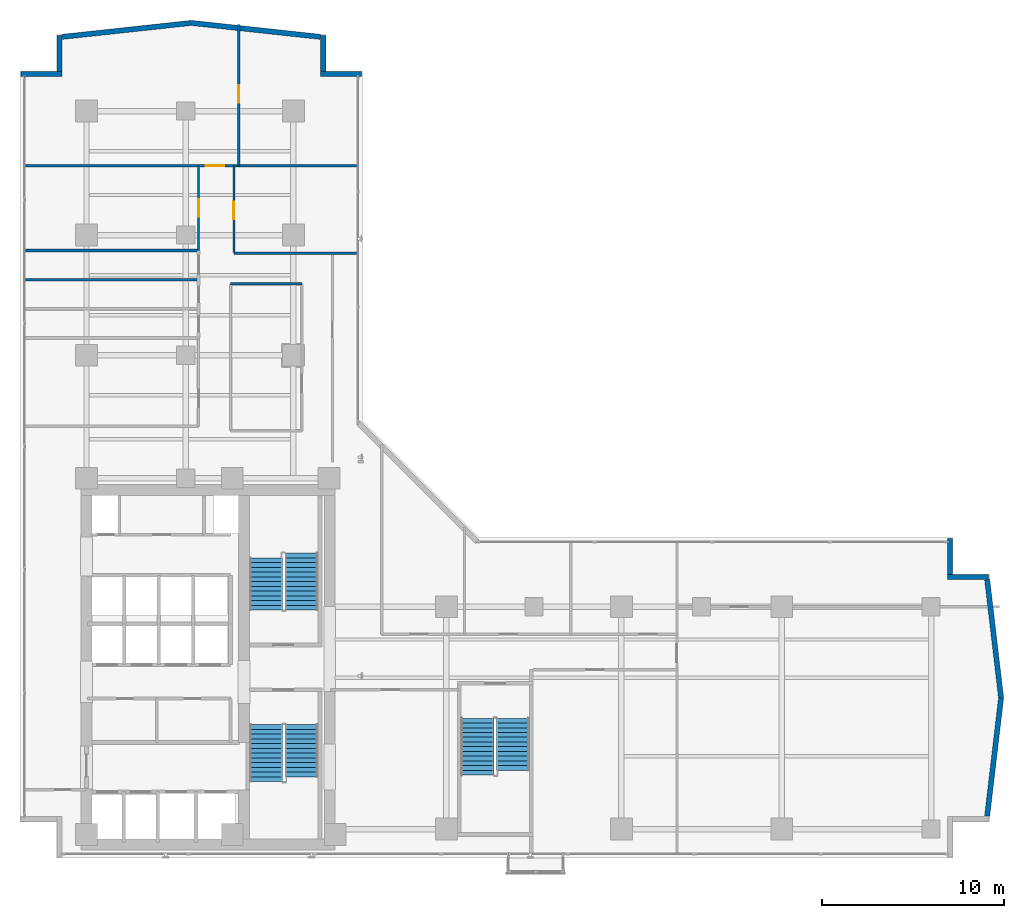
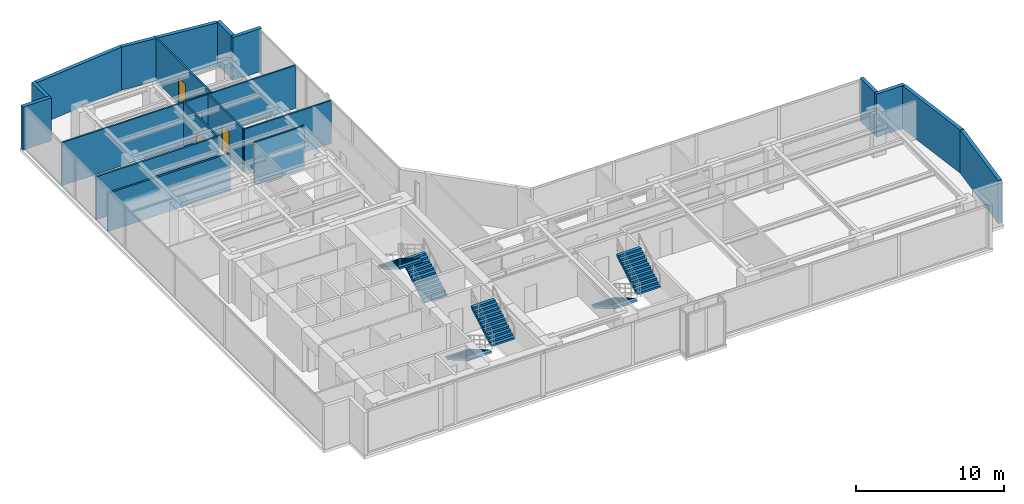
# One storey, part 21 of 24: 18 walls, 6 stair flights, 4 doors, 4 openings, 3 elements without a shape of their own.
"""IFC4 building model written with IfcOpenShell, lengths in metres."""

from ifc_helpers import new_model, si_unit, direction, frame, frame_2d, origin, place, context, subcontext, project, spatial, polyline, rectangle, outline, extrude, material, layer, layer_set, type_object, element, fill, aggregate, save


model = new_model("IFC4")

# Units and contexts
model_context = context("Model", 3, precision=1e-05, world=origin(), true_north=direction((0.0, 1.0)))
body_context = subcontext(model_context, "Body", "Model", "MODEL_VIEW")
ifc_project = project(units=[si_unit("LENGTHUNIT", "METRE"), si_unit("AREAUNIT", "SQUARE_METRE"), si_unit("VOLUMEUNIT", "CUBIC_METRE"), si_unit("PLANEANGLEUNIT", "RADIAN"), si_unit("MASSUNIT", "GRAM", prefix="KILO")], contexts=[model_context])

# Site, building, storey
site_placement = place(None, origin())
site = spatial("IfcSite", under=ifc_project, at=site_placement, CompositionType="ELEMENT")
building_placement = place(site_placement, origin())
building = spatial("IfcBuilding", under=site, at=building_placement, Name="Kolvaren Waterfront Exchange", CompositionType="ELEMENT")
storey_placement = place(building_placement, frame((0.0, 0.0, 157.60009765625)))
storey = spatial("IfcBuildingStorey", under=building, at=storey_placement, Name="L40", CompositionType="ELEMENT", Elevation=157.60009765625)

# Walls
ifc_material_1 = material(Name="Precast concrete C40/50", Category="concrete")
ifc_layer_1 = layer(ifc_material_1, 0.280029296875, Name="Precast concrete C40/50")
ifc_layer_set_1 = layer_set([ifc_layer_1], Name="Precast concrete C40/50")
wall_type_1 = type_object("IfcWallType", Name="ARC-EXT-TERR-280", PredefinedType="SOLIDWALL", material=ifc_layer_set_1)
wall_1_placement = place(storey_placement, frame((54.840087890625, 19.1650390625, 0.0), z_axis=(0.0, 0.0, 1.0), x_axis=(0.0, 1.0, 0.0)))
element("IfcWall", 1, at=wall_1_placement, inside=storey, type_object=wall_type_1, Name="L40 notched corner spandrel pier ENE-A", PredefinedType="SOLIDWALL", context=body_context, shape_type="SweptSolid", body=[
    extrude(rectangle(XDim=1.974853515625, YDim=0.280029296875, at=frame_2d((0.9873046875, 0.0))), origin(), (0.0, 0.0, 1.0), 3.559814453125),
])
for number, where, z_axis, x_axis, name in (
    (2, (54.699951171875, 19.0400390625, 0.0), (0.0, 0.0, 1.0), (1.0, 0.0, 0.0), "L40 notched corner spandrel pier ENE-B"),
    (3, (20.300048828125, 46.639892578125, 0.0), (0.0, 0.0, 1.0), (1.0, 0.0, 0.0), "L40 notched corner spandrel pier NNE-A"),
):
    element("IfcWall", number, at=place(storey_placement, frame(where, z_axis=z_axis, x_axis=x_axis)), inside=storey, type_object=wall_type_1, Name=name, PredefinedType="SOLIDWALL", context=body_context, shape_type="SweptSolid", body=[
        extrude(rectangle(XDim=2.239990234375, YDim=0.280029296875, at=frame_2d((1.1201171875, 0.0))), origin(), (0.0, 0.0, 1.0), 3.559814453125),
    ])
wall_2_placement = place(storey_placement, frame((20.43994140625, 46.780029296875, 0.0), z_axis=(0.0, 0.0, 1.0), x_axis=(0.0, 1.0, 0.0)))
element("IfcWall", 4, at=wall_2_placement, inside=storey, type_object=wall_type_1, Name="L40 notched corner spandrel pier NNE-B", PredefinedType="SOLIDWALL", context=body_context, shape_type="SweptSolid", body=[
    extrude(rectangle(XDim=1.9599609375, YDim=0.280029296875, at=frame_2d((0.97998046875, 0.0))), origin(), (0.0, 0.0, 1.0), 3.559814453125),
])
wall_3_placement = place(storey_placement, frame((3.860107421875, 46.639892578125, 0.0), z_axis=(0.0, 0.0, 1.0), x_axis=(1.0, 0.0, 0.0)))
element("IfcWall", 5, at=wall_3_placement, inside=storey, type_object=wall_type_1, Name="L40 notched corner spandrel pier NW-A", PredefinedType="SOLIDWALL", context=body_context, shape_type="SweptSolid", body=[
    extrude(rectangle(XDim=2.239990234375, YDim=0.280029296875, at=frame_2d((1.1201171875, 0.0))), origin(), (0.0, 0.0, 1.0), 3.559814453125),
])
wall_4_placement = place(storey_placement, frame((5.9599609375, 46.780029296875, 0.0), z_axis=(0.0, 0.0, 1.0), x_axis=(0.0, 1.0, 0.0)))
element("IfcWall", 6, at=wall_4_placement, inside=storey, type_object=wall_type_1, Name="L40 notched corner spandrel pier NW-B", PredefinedType="SOLIDWALL", context=body_context, shape_type="SweptSolid", body=[
    extrude(rectangle(XDim=1.9599609375, YDim=0.280029296875, at=frame_2d((0.97998046875, 0.0))), origin(), (0.0, 0.0, 1.0), 3.559814453125),
])
for number, where, z_axis, x_axis, name in (
    (7, (56.876220703125, 5.91650390625, 0.0), (0.0, 0.0, 1.0), (0.11685426921, 0.993149072278, 0.0), "L40 east prow faceted facade wall 1"),
    (8, (57.638916015625, 12.401123046875, 0.0), (0.0, 0.0, 1.0), (-0.11685426921, 0.993149072278, 0.0), "L40 east prow faceted facade wall 2"),
):
    element("IfcWall", number, at=place(storey_placement, frame(where, z_axis=z_axis, x_axis=x_axis)), inside=storey, type_object=wall_type_1, Name=name, PredefinedType="SOLIDWALL", context=body_context, shape_type="SweptSolid", body=[
        extrude(rectangle(XDim=6.52685546875, YDim=0.280029296875, at=frame_2d((3.263427734375, 0.0))), origin(), (0.0, 0.0, 1.0), 3.559814453125),
    ])
for number, where, z_axis, x_axis, name in (
    (9, (20.284423828125, 48.673095703125, 0.0), (0.0, 0.0, 1.0), (-0.994206651606, 0.107485505548, 0.0), "L40 north prow faceted facade wall 1"),
    (10, (13.197265625, 49.438720703125, 0.0), (0.0, 0.0, 1.0), (-0.994206651606, -0.107485505548, 0.0), "L40 north prow faceted facade wall 2"),
):
    element("IfcWall", number, at=place(storey_placement, frame(where, z_axis=z_axis, x_axis=x_axis)), inside=storey, type_object=wall_type_1, Name=name, PredefinedType="SOLIDWALL", context=body_context, shape_type="SweptSolid", body=[
        extrude(rectangle(XDim=7.123046875, YDim=0.280029296875, at=frame_2d((3.5615234375, 0.0))), origin(), (0.0, 0.0, 1.0), 3.559814453125),
    ])
ifc_material_2 = material(Name="Acoustic gypsum steel stud", Category="steel")
ifc_layer_2 = layer(ifc_material_2, 0.125, Name="Acoustic gypsum steel stud")
ifc_layer_set_2 = layer_set([ifc_layer_2], Name="Acoustic gypsum steel stud")
wall_type_2 = type_object("IfcWallType", Name="ARC-PART-125", PredefinedType="PARTITIONING", material=ifc_layer_set_2)
wall_5_placement = place(storey_placement, frame((15.35009765625, 35.1201171875, 0.0), z_axis=(0.0, 0.0, 1.0), x_axis=(1.0, 0.0, 0.0)))
element("IfcWall", 11, at=wall_5_placement, inside=storey, type_object=wall_type_2, Name="L40 interior wall PW-L40-ISL-N", PredefinedType="PARTITIONING", context=body_context, shape_type="SweptSolid", body=[
    extrude(rectangle(XDim=3.919921875, YDim=0.125, at=frame_2d((1.9599609375, 0.0))), origin(), (0.0, 0.0, 1.0), 3.559814453125),
])
wall_6_placement = place(storey_placement, frame((15.5400390625, 36.800048828125, 0.0), z_axis=(0.0, 0.0, 1.0), x_axis=(1.0, 0.0, 0.0)))
element("IfcWall", 12, at=wall_6_placement, inside=storey, type_object=wall_type_2, Name="L40 interior wall PW-L40-RFLANK-N", PredefinedType="PARTITIONING", context=body_context, shape_type="SweptSolid", body=[
    extrude(rectangle(XDim=6.820068359375, YDim=0.125, at=frame_2d((3.41015625, 0.0))), origin(), (0.0, 0.0, 1.0), 3.559814453125),
])

# Wall, opening, door
wall_7_placement = place(storey_placement, frame((13.60009765625, 36.949951171875, 0.0), z_axis=(0.0, 0.0, 1.0), x_axis=(0.0, 1.0, 0.0)))
wall_7 = element("IfcWall", 13, at=wall_7_placement, inside=storey, type_object=wall_type_2, Name="L40 interior wall PW-L40-NW-CORR", PredefinedType="PARTITIONING", context=body_context, shape_type="SweptSolid", body=[
    extrude(rectangle(XDim=4.650146484375, YDim=0.125, at=frame_2d((2.3251953125, 0.0))), origin(), (0.0, 0.0, 1.0), 3.559814453125),
])
opening_1_placement = place(wall_7_placement, frame((1.85009765625, 0.0, 0.0)))
opening_1 = element("IfcOpeningElement", 14, at=opening_1_placement, cuts=wall_7, Name="Opening D02", PredefinedType="OPENING", context=body_context, shape_type="SweptSolid", body=[
    extrude(rectangle(XDim=0.949951171875, YDim=2.14990234375, at=frame_2d((0.47509765625, 1.074951171875))), frame((0.0, 0.072509765625, 0.0), z_axis=(0.0, -1.0, 0.0), x_axis=(1.0, 0.0, 0.0)), (0.0, 0.0, 1.0), 0.14501953125),
])
ifc_material_3 = material(Name="Oak veneer acoustic timber", Category="wood")
door_type_1 = type_object("IfcDoorType", Name="ARC-DR-950", OperationType="NOTDEFINED", PredefinedType="DOOR", material=ifc_material_3)
door_1_placement = place(opening_1_placement, origin())
door_1 = element("IfcDoor", 15, at=door_1_placement, inside=storey, type_object=door_type_1, Name="L40 door DR-L40-NW-D-1 (D02)", OperationType="SINGLE_SWING_LEFT", OverallHeight=2.14990234375, OverallWidth=0.949951171875, PredefinedType="DOOR", context=body_context, shape_type="SweptSolid", body=[
    extrude(rectangle(XDim=0.949951171875, YDim=2.14990234375, at=frame_2d((0.47509765625, 1.074951171875))), frame((0.0, 0.02490234375, 0.0), z_axis=(0.0, -1.0, 0.0), x_axis=(1.0, 0.0, 0.0)), (0.0, 0.0, 1.0), 0.050048828125),
])
fill(opening_1, door_1)

wall_8_placement = place(storey_placement, frame((4.0400390625, 41.60009765625, 0.0), z_axis=(0.0, 0.0, 1.0), x_axis=(1.0, 0.0, 0.0)))
wall_8 = element("IfcWall", 16, at=wall_8_placement, inside=storey, type_object=wall_type_2, Name="L40 interior wall PW-L40-NTIP-S", PredefinedType="PARTITIONING", context=body_context, shape_type="SweptSolid", body=[
    extrude(rectangle(XDim=18.320068359375, YDim=0.125, at=frame_2d((9.16015625, 0.0))), origin(), (0.0, 0.0, 1.0), 3.559814453125),
])
opening_2_placement = place(wall_8_placement, frame((9.9599609375, 0.0, 0.0)))
opening_2 = element("IfcOpeningElement", 17, at=opening_2_placement, cuts=wall_8, Name="Opening D03", PredefinedType="OPENING", context=body_context, shape_type="SweptSolid", body=[
    extrude(rectangle(XDim=1.0, YDim=2.199951171875, at=frame_2d((0.5, 1.10009765625))), frame((0.0, 0.072509765625, 0.0), z_axis=(0.0, -1.0, 0.0), x_axis=(1.0, 0.0, 0.0)), (0.0, 0.0, 1.0), 0.14501953125),
])
ifc_material_4 = material(Name="Oak veneer accessible timber", Category="wood")
door_type_2 = type_object("IfcDoorType", Name="ARC-DR-1000", OperationType="NOTDEFINED", PredefinedType="DOOR", material=ifc_material_4)
door_2_placement = place(opening_2_placement, origin())
door_2 = element("IfcDoor", 18, at=door_2_placement, inside=storey, type_object=door_type_2, Name="L40 door DR-L40-NTIPW-D (D03)", OperationType="SINGLE_SWING_RIGHT", OverallHeight=2.199951171875, OverallWidth=1.0, PredefinedType="DOOR", context=body_context, shape_type="SweptSolid", body=[
    extrude(rectangle(XDim=1.0, YDim=2.199951171875, at=frame_2d((0.5, 1.10009765625))), frame((0.0, 0.02490234375, 0.0), z_axis=(0.0, -1.0, 0.0), x_axis=(1.0, 0.0, 0.0)), (0.0, 0.0, 1.0), 0.050048828125),
])
fill(opening_2, door_2)

wall_9_placement = place(storey_placement, frame((15.800048828125, 41.60009765625, 0.0), z_axis=(0.0, 0.0, 1.0), x_axis=(0.0, 1.0, 0.0)))
wall_9 = element("IfcWall", 19, at=wall_9_placement, inside=storey, type_object=wall_type_2, Name="L40 interior wall PW-L40-NTIP-DIV", PredefinedType="PARTITIONING", context=body_context, shape_type="SweptSolid", body=[
    extrude(rectangle(XDim=7.760009765625, YDim=0.125, at=frame_2d((3.8798828125, 0.0))), origin(), (0.0, 0.0, 1.0), 3.559814453125),
])
opening_3_placement = place(wall_9_placement, frame((3.470458984375, 0.0, 0.0)))
opening_3 = element("IfcOpeningElement", 20, at=opening_3_placement, cuts=wall_9, Name="Opening D02", PredefinedType="OPENING", context=body_context, shape_type="SweptSolid", body=[
    extrude(rectangle(XDim=0.949951171875, YDim=2.14990234375, at=frame_2d((0.47509765625, 1.074951171875))), frame((0.0, 0.072509765625, 0.0), z_axis=(0.0, -1.0, 0.0), x_axis=(1.0, 0.0, 0.0)), (0.0, 0.0, 1.0), 0.14501953125),
])
door_3_placement = place(opening_3_placement, origin())
door_3 = element("IfcDoor", 21, at=door_3_placement, inside=storey, type_object=door_type_1, Name="L40 door DR-L40-NTIPE-D (D02)", OperationType="SINGLE_SWING_LEFT", OverallHeight=2.14990234375, OverallWidth=0.949951171875, PredefinedType="DOOR", context=body_context, shape_type="SweptSolid", body=[
    extrude(rectangle(XDim=0.949951171875, YDim=2.14990234375, at=frame_2d((0.47509765625, 1.074951171875))), frame((0.0, 0.02490234375, 0.0), z_axis=(0.0, -1.0, 0.0), x_axis=(1.0, 0.0, 0.0)), (0.0, 0.0, 1.0), 0.050048828125),
])
fill(opening_3, door_3)

wall_10_placement = place(storey_placement, frame((15.5400390625, 36.85009765625, 0.0), z_axis=(0.0, 0.0, 1.0), x_axis=(0.0, 1.0, 0.0)))
wall_10 = element("IfcWall", 22, at=wall_10_placement, inside=storey, type_object=wall_type_2, Name="L40 interior wall PW-L40-NE-CORR", PredefinedType="PARTITIONING", context=body_context, shape_type="SweptSolid", body=[
    extrude(rectangle(XDim=4.75, YDim=0.125, at=frame_2d((2.375, 0.0))), origin(), (0.0, 0.0, 1.0), 3.559814453125),
])
opening_4_placement = place(wall_10_placement, frame((1.82861328125, 0.0, 0.0)))
opening_4 = element("IfcOpeningElement", 23, at=opening_4_placement, cuts=wall_10, Name="Opening D02", PredefinedType="OPENING", context=body_context, shape_type="SweptSolid", body=[
    extrude(rectangle(XDim=0.949951171875, YDim=2.14990234375, at=frame_2d((0.47509765625, 1.074951171875))), frame((0.0, 0.072509765625, 0.0), z_axis=(0.0, -1.0, 0.0), x_axis=(1.0, 0.0, 0.0)), (0.0, 0.0, 1.0), 0.14501953125),
])
door_4_placement = place(opening_4_placement, origin())
door_4 = element("IfcDoor", 24, at=door_4_placement, inside=storey, type_object=door_type_1, Name="L40 door DR-L40-NE-D-1 (D02)", OperationType="SINGLE_SWING_RIGHT", OverallHeight=2.14990234375, OverallWidth=0.949951171875, PredefinedType="DOOR", context=body_context, shape_type="SweptSolid", body=[
    extrude(rectangle(XDim=0.949951171875, YDim=2.14990234375, at=frame_2d((0.47509765625, 1.074951171875))), frame((0.0, 0.02490234375, 0.0), z_axis=(0.0, -1.0, 0.0), x_axis=(1.0, 0.0, 0.0)), (0.0, 0.0, 1.0), 0.050048828125),
])
fill(opening_4, door_4)

# Walls
ifc_material_5 = material(Name="Moisture-resistant gypsum stud")
ifc_layer_3 = layer(ifc_material_5, 0.14990234375, Name="Moisture-resistant gypsum stud")
ifc_layer_set_3 = layer_set([ifc_layer_3], Name="Moisture-resistant gypsum stud")
wall_type_3 = type_object("IfcWallType", Name="ARC-PLUMB-150", PredefinedType="PLUMBINGWALL", material=ifc_layer_set_3)
wall_11_placement = place(storey_placement, frame((4.0400390625, 35.35009765625, 0.0), z_axis=(0.0, 0.0, 1.0), x_axis=(1.0, 0.0, 0.0)))
element("IfcWall", 25, at=wall_11_placement, inside=storey, type_object=wall_type_3, Name="L40 interior wall PW-L40-WC-2", PredefinedType="PLUMBINGWALL", context=body_context, shape_type="SweptSolid", body=[
    extrude(rectangle(XDim=9.56005859375, YDim=0.14990234375, at=frame_2d((4.780029296875, 0.0))), origin(), (0.0, 0.0, 1.0), 3.159912109375),
])
wall_12_placement = place(storey_placement, frame((4.0400390625, 36.949951171875, 0.0), z_axis=(0.0, 0.0, 1.0), x_axis=(1.0, 0.0, 0.0)))
element("IfcWall", 26, at=wall_12_placement, inside=storey, type_object=wall_type_3, Name="L40 interior wall PW-L40-WC-3", PredefinedType="PLUMBINGWALL", context=body_context, shape_type="SweptSolid", body=[
    extrude(rectangle(XDim=9.56005859375, YDim=0.14990234375, at=frame_2d((4.780029296875, 0.0))), origin(), (0.0, 0.0, 1.0), 3.559814453125),
])

# Stair, stair flights
ifc_material_6 = material(Name="Concrete C40/50", Category="concrete")
stair_type = type_object("IfcStairType", Name="ARC-STAIR-3800", PredefinedType="HALF_TURN_STAIR", material=ifc_material_6)
stair_1_placement = place(storey_placement, origin())
stair_1 = element("IfcStair", 27, at=stair_1_placement, inside=storey, type_object=stair_type, Name="L40 Smoke-proof exit stair ST1", PredefinedType="HALF_TURN_STAIR")
stair_flight_type = type_object("IfcStairFlightType", Name="ARC-FLIGHT-3800", PredefinedType="STRAIGHT", material=ifc_material_6)
stair_flight_1_placement = place(storey_placement, frame((17.300048828125, 10.929931640625, 0.0), z_axis=(0.0, 0.0, 1.0), x_axis=(0.0, -1.0, 0.0)))
stair_flight_1 = element("IfcStairFlight", 28, at=stair_flight_1_placement, type_object=stair_flight_type, Name="ST1 flight 1", NumberOfRisers=13, NumberOfTreads=12, PredefinedType="STRAIGHT", RiserHeight=0.152, TreadLength=0.26, context=body_context, shape_type="SweptSolid", body=[
    extrude(outline(polyline([(0.0, 0.0), (0.0, 0.152099609375), (0.260009765625, 0.152099609375), (0.260009765625, 0.303955078125), (0.52001953125, 0.303955078125), (0.52001953125, 0.4560546875), (0.780029296875, 0.4560546875), (0.780029296875, 0.60791015625), (1.0400390625, 0.60791015625), (1.0400390625, 0.760009765625), (1.300048828125, 0.760009765625), (1.300048828125, 0.912109375), (1.56005859375, 0.912109375), (1.56005859375, 1.06396484375), (1.820068359375, 1.06396484375), (1.820068359375, 1.216064453125), (2.080078125, 1.216064453125), (2.080078125, 1.367919921875), (2.340087890625, 1.367919921875), (2.340087890625, 1.52001953125), (2.60009765625, 1.52001953125), (2.60009765625, 1.672119140625), (2.860107421875, 1.672119140625), (2.860107421875, 1.823974609375), (3.1201171875, 1.823974609375), (3.1201171875, 1.97607421875), (3.1201171875, 1.650390625), (0.297119140625, 0.0), (0.0, 0.0)])), frame((0.0, 0.89990234375, 0.0), z_axis=(0.0, -1.0, 0.0), x_axis=(1.0, 0.0, 0.0)), (0.0, 0.0, 1.0), 1.800048828125),
])
stair_flight_2_placement = place(storey_placement, frame((19.260009765625, 8.070068359375, 1.975830078125), z_axis=(0.0, 0.0, 1.0), x_axis=(0.0, 1.0, 0.0)))
stair_flight_2 = element("IfcStairFlight", 29, at=stair_flight_2_placement, type_object=stair_flight_type, Name="ST1 flight 2", NumberOfRisers=12, NumberOfTreads=11, PredefinedType="STRAIGHT", RiserHeight=0.152, TreadLength=0.26, context=body_context, shape_type="SweptSolid", body=[
    extrude(outline(polyline([(0.0, 0.0), (0.0, 0.152099609375), (0.260009765625, 0.152099609375), (0.260009765625, 0.303955078125), (0.52001953125, 0.303955078125), (0.52001953125, 0.4560546875), (0.780029296875, 0.4560546875), (0.780029296875, 0.60791015625), (1.0400390625, 0.60791015625), (1.0400390625, 0.760009765625), (1.300048828125, 0.760009765625), (1.300048828125, 0.912109375), (1.56005859375, 0.912109375), (1.56005859375, 1.06396484375), (1.820068359375, 1.06396484375), (1.820068359375, 1.216064453125), (2.080078125, 1.216064453125), (2.080078125, 1.367919921875), (2.340087890625, 1.367919921875), (2.340087890625, 1.52001953125), (2.60009765625, 1.52001953125), (2.60009765625, 1.672119140625), (2.860107421875, 1.672119140625), (2.860107421875, 1.823974609375), (2.860107421875, 1.498291015625), (0.297119140625, 0.0), (0.0, 0.0)])), frame((0.0, 0.89990234375, 0.0), z_axis=(0.0, -1.0, 0.0), x_axis=(1.0, 0.0, 0.0)), (0.0, 0.0, 1.0), 1.800048828125),
])
aggregate(stair_1, [stair_flight_1, stair_flight_2])

stair_2_placement = place(storey_placement, origin())
stair_2 = element("IfcStair", 30, at=stair_2_placement, inside=storey, type_object=stair_type, Name="L40 Smoke-proof exit stair ST2", PredefinedType="HALF_TURN_STAIR")
stair_flight_3_placement = place(storey_placement, frame((19.260009765625, 17.219970703125, 0.0), z_axis=(0.0, 0.0, 1.0), x_axis=(0.0, 1.0, 0.0)))
stair_flight_3 = element("IfcStairFlight", 31, at=stair_flight_3_placement, type_object=stair_flight_type, Name="ST2 flight 1", NumberOfRisers=13, NumberOfTreads=12, PredefinedType="STRAIGHT", RiserHeight=0.152, TreadLength=0.26, context=body_context, shape_type="SweptSolid", body=[
    extrude(outline(polyline([(0.0, 0.0), (0.0, 0.152099609375), (0.260009765625, 0.152099609375), (0.260009765625, 0.303955078125), (0.52001953125, 0.303955078125), (0.52001953125, 0.4560546875), (0.780029296875, 0.4560546875), (0.780029296875, 0.60791015625), (1.0400390625, 0.60791015625), (1.0400390625, 0.760009765625), (1.300048828125, 0.760009765625), (1.300048828125, 0.912109375), (1.56005859375, 0.912109375), (1.56005859375, 1.06396484375), (1.820068359375, 1.06396484375), (1.820068359375, 1.216064453125), (2.080078125, 1.216064453125), (2.080078125, 1.367919921875), (2.340087890625, 1.367919921875), (2.340087890625, 1.52001953125), (2.60009765625, 1.52001953125), (2.60009765625, 1.672119140625), (2.860107421875, 1.672119140625), (2.860107421875, 1.823974609375), (3.1201171875, 1.823974609375), (3.1201171875, 1.97607421875), (3.1201171875, 1.650390625), (0.297119140625, 0.0), (0.0, 0.0)])), frame((0.0, 0.89990234375, 0.0), z_axis=(0.0, -1.0, 0.0), x_axis=(1.0, 0.0, 0.0)), (0.0, 0.0, 1.0), 1.800048828125),
])
stair_flight_4_placement = place(storey_placement, frame((17.300048828125, 20.080078125, 1.975830078125), z_axis=(0.0, 0.0, 1.0), x_axis=(0.0, -1.0, 0.0)))
stair_flight_4 = element("IfcStairFlight", 32, at=stair_flight_4_placement, type_object=stair_flight_type, Name="ST2 flight 2", NumberOfRisers=12, NumberOfTreads=11, PredefinedType="STRAIGHT", RiserHeight=0.152, TreadLength=0.26, context=body_context, shape_type="SweptSolid", body=[
    extrude(outline(polyline([(0.0, 0.0), (0.0, 0.152099609375), (0.260009765625, 0.152099609375), (0.260009765625, 0.303955078125), (0.52001953125, 0.303955078125), (0.52001953125, 0.4560546875), (0.780029296875, 0.4560546875), (0.780029296875, 0.60791015625), (1.0400390625, 0.60791015625), (1.0400390625, 0.760009765625), (1.300048828125, 0.760009765625), (1.300048828125, 0.912109375), (1.56005859375, 0.912109375), (1.56005859375, 1.06396484375), (1.820068359375, 1.06396484375), (1.820068359375, 1.216064453125), (2.080078125, 1.216064453125), (2.080078125, 1.367919921875), (2.340087890625, 1.367919921875), (2.340087890625, 1.52001953125), (2.60009765625, 1.52001953125), (2.60009765625, 1.672119140625), (2.860107421875, 1.672119140625), (2.860107421875, 1.823974609375), (2.860107421875, 1.498291015625), (0.297119140625, 0.0), (0.0, 0.0)])), frame((0.0, 0.89990234375, 0.0), z_axis=(0.0, -1.0, 0.0), x_axis=(1.0, 0.0, 0.0)), (0.0, 0.0, 1.0), 1.800048828125),
])
aggregate(stair_2, [stair_flight_3, stair_flight_4])

stair_3_placement = place(storey_placement, origin())
stair_3 = element("IfcStair", 33, at=stair_3_placement, inside=storey, type_object=stair_type, Name="L40 Exit stair ST3", PredefinedType="HALF_TURN_STAIR")
stair_flight_5_placement = place(storey_placement, frame((28.89990234375, 11.280029296875, 0.0), z_axis=(0.0, 0.0, 1.0), x_axis=(0.0, -1.0, 0.0)))
stair_flight_5 = element("IfcStairFlight", 34, at=stair_flight_5_placement, type_object=stair_flight_type, Name="ST3 flight 1", NumberOfRisers=13, NumberOfTreads=12, PredefinedType="STRAIGHT", RiserHeight=0.152, TreadLength=0.26, context=body_context, shape_type="SweptSolid", body=[
    extrude(outline(polyline([(0.0, 0.0), (0.0, 0.152099609375), (0.260009765625, 0.152099609375), (0.260009765625, 0.303955078125), (0.52001953125, 0.303955078125), (0.52001953125, 0.4560546875), (0.780029296875, 0.4560546875), (0.780029296875, 0.60791015625), (1.0400390625, 0.60791015625), (1.0400390625, 0.760009765625), (1.300048828125, 0.760009765625), (1.300048828125, 0.912109375), (1.56005859375, 0.912109375), (1.56005859375, 1.06396484375), (1.820068359375, 1.06396484375), (1.820068359375, 1.216064453125), (2.080078125, 1.216064453125), (2.080078125, 1.367919921875), (2.340087890625, 1.367919921875), (2.340087890625, 1.52001953125), (2.60009765625, 1.52001953125), (2.60009765625, 1.672119140625), (2.860107421875, 1.672119140625), (2.860107421875, 1.823974609375), (3.1201171875, 1.823974609375), (3.1201171875, 1.97607421875), (3.1201171875, 1.650390625), (0.297119140625, 0.0), (0.0, 0.0)])), frame((0.0, 0.89990234375, 0.0), z_axis=(0.0, -1.0, 0.0), x_axis=(1.0, 0.0, 0.0)), (0.0, 0.0, 1.0), 1.800048828125),
])
stair_flight_6_placement = place(storey_placement, frame((30.860107421875, 8.419921875, 1.975830078125), z_axis=(0.0, 0.0, 1.0), x_axis=(0.0, 1.0, 0.0)))
stair_flight_6 = element("IfcStairFlight", 35, at=stair_flight_6_placement, type_object=stair_flight_type, Name="ST3 flight 2", NumberOfRisers=12, NumberOfTreads=11, PredefinedType="STRAIGHT", RiserHeight=0.152, TreadLength=0.26, context=body_context, shape_type="SweptSolid", body=[
    extrude(outline(polyline([(0.0, 0.0), (0.0, 0.152099609375), (0.260009765625, 0.152099609375), (0.260009765625, 0.303955078125), (0.52001953125, 0.303955078125), (0.52001953125, 0.4560546875), (0.780029296875, 0.4560546875), (0.780029296875, 0.60791015625), (1.0400390625, 0.60791015625), (1.0400390625, 0.760009765625), (1.300048828125, 0.760009765625), (1.300048828125, 0.912109375), (1.56005859375, 0.912109375), (1.56005859375, 1.06396484375), (1.820068359375, 1.06396484375), (1.820068359375, 1.216064453125), (2.080078125, 1.216064453125), (2.080078125, 1.367919921875), (2.340087890625, 1.367919921875), (2.340087890625, 1.52001953125), (2.60009765625, 1.52001953125), (2.60009765625, 1.672119140625), (2.860107421875, 1.672119140625), (2.860107421875, 1.823974609375), (2.860107421875, 1.498291015625), (0.297119140625, 0.0), (0.0, 0.0)])), frame((0.0, 0.89990234375, 0.0), z_axis=(0.0, -1.0, 0.0), x_axis=(1.0, 0.0, 0.0)), (0.0, 0.0, 1.0), 1.800048828125),
])
aggregate(stair_3, [stair_flight_5, stair_flight_6])

save(model, "model.ifc")
